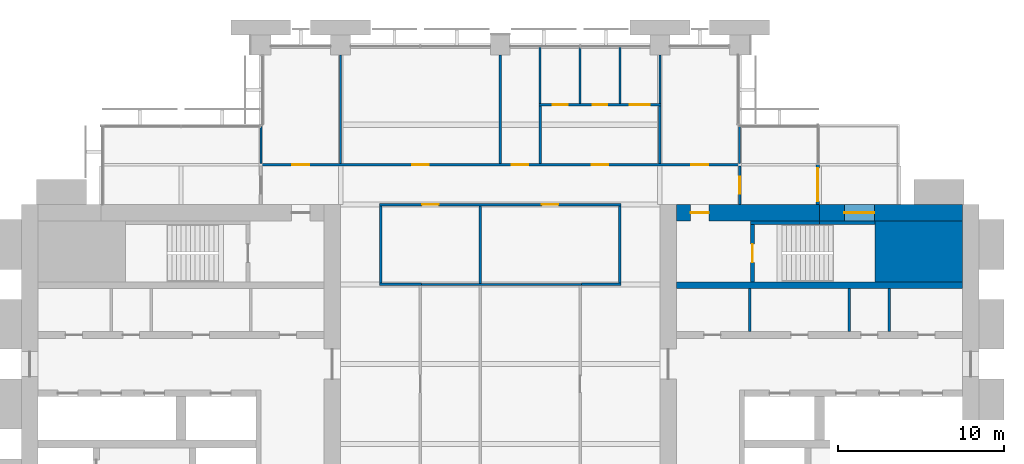
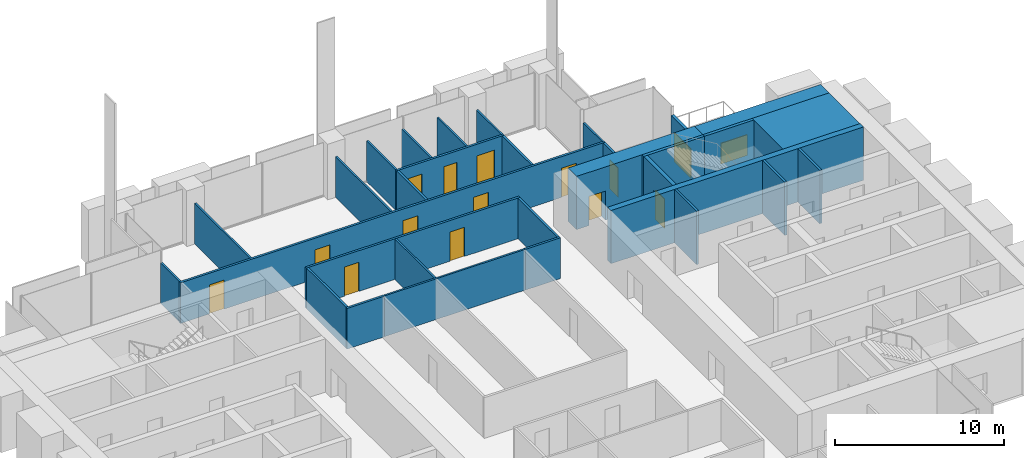
# One storey, part 12 of 14: 31 walls, 14 doors, 1 window, 15 openings.
"""IFC4 building model written with IfcOpenShell, lengths in metres."""

from ifc_helpers import new_model, si_unit, direction, frame, frame_2d, origin, place, context, subcontext, project, spatial, rectangle, extrude, material, layer, layer_set, type_object, element, fill, save


model = new_model("IFC4")

# Units and contexts
model_context = context("Model", 3, precision=1e-05, world=origin(), true_north=direction((0.0, 1.0)))
body_context = subcontext(model_context, "Body", "Model", "MODEL_VIEW")
ifc_project = project(units=[si_unit("LENGTHUNIT", "METRE"), si_unit("AREAUNIT", "SQUARE_METRE"), si_unit("VOLUMEUNIT", "CUBIC_METRE"), si_unit("PLANEANGLEUNIT", "RADIAN"), si_unit("MASSUNIT", "GRAM", prefix="KILO")], contexts=[model_context])

# Site, building, storey
site_placement = place(None, origin())
site = spatial("IfcSite", under=ifc_project, at=site_placement, CompositionType="ELEMENT")
building_placement = place(site_placement, origin())
building = spatial("IfcBuilding", under=site, at=building_placement, Name="Baori Bourse Tower", CompositionType="ELEMENT")
storey_placement = place(building_placement, frame((0.0, 0.0, 144.10009765625)))
storey = spatial("IfcBuildingStorey", under=building, at=storey_placement, Name="L31", CompositionType="ELEMENT", Elevation=144.10009765625)

# Walls
ifc_material_1 = material(Name="Concrete f'c 60 MPa", Category="concrete")
wall_type_1 = type_object("IfcWallType", Name="Core corner block f'c 60", PredefinedType="SHEAR", material=ifc_material_1)
wall_1_placement = place(storey_placement, frame((51.35009765625, 35.574951171875, 0.0), z_axis=(0.0, 0.0, 1.0), x_axis=(1.0, 0.0, 0.0)))
element("IfcWall", 1, at=wall_1_placement, inside=storey, type_object=wall_type_1, Name="Core wall E27", PredefinedType="SHEAR", context=body_context, shape_type="SweptSolid", body=[
    extrude(rectangle(XDim=5.25, YDim=3.64990234375, at=frame_2d((2.625, 0.0))), origin(), (0.0, 0.0, 1.0), 3.83984375),
])
ifc_material_2 = material(Name="Blockwork partition", Category="masonry")
ifc_layer_1 = layer(ifc_material_2, 0.14990234375)
ifc_layer_set_1 = layer_set([ifc_layer_1], Name="Core partition 150")
wall_type_2 = type_object("IfcWallType", Name="Core partition 150", PredefinedType="PARTITIONING", material=ifc_layer_set_1)
for number, where, z_axis, x_axis, name in (
    (2, (52.199951171875, 30.75, 0.0), (0.0, 0.0, 1.0), (0.0, 1.0, 0.0), "Partition wall E23"),
    (3, (49.800048828125, 30.75, 0.0), (0.0, 0.0, 1.0), (0.0, 1.0, 0.0), "Partition wall E24"),
    (4, (43.800048828125, 30.75, 0.0), (0.0, 0.0, 1.0), (0.0, 1.0, 0.0), "Partition wall E25"),
):
    element("IfcWall", number, at=place(storey_placement, frame(where, z_axis=z_axis, x_axis=x_axis)), inside=storey, type_object=wall_type_2, Name=name, PredefinedType="PARTITIONING", context=body_context, shape_type="SweptSolid", body=[
        extrude(rectangle(XDim=2.60009765625, YDim=0.14990234375, at=frame_2d((1.300048828125, 0.0))), origin(), (0.0, 0.0, 1.0), 3.83984375),
    ])

# Wall, opening, window
ifc_material_3 = material(Name="Concrete f'c 60 MPa", Category="concrete")
ifc_layer_2 = layer(ifc_material_3, 1.0)
ifc_layer_set_2 = layer_set([ifc_layer_2], Name="Core wall 1000 f'c 60")
wall_type_3 = type_object("IfcWallType", Name="Core wall 1000 f'c 60", PredefinedType="SHEAR", material=ifc_layer_set_2)
wall_2_placement = place(storey_placement, frame((48.0, 37.89990234375, 0.0), z_axis=(0.0, 0.0, 1.0), x_axis=(1.0, 0.0, 0.0)))
wall_2 = element("IfcWall", 5, at=wall_2_placement, inside=storey, type_object=wall_type_3, Name="Core wall E31", PredefinedType="SHEAR", context=body_context, shape_type="SweptSolid", body=[
    extrude(rectangle(XDim=8.60009765625, YDim=1.0, at=frame_2d((4.300048828125, 0.0))), origin(), (0.0, 0.0, 1.0), 3.83984375),
])
opening_1_placement = place(wall_2_placement, frame((1.5, 0.0, 0.89990234375)))
opening_1 = element("IfcOpeningElement", 6, at=opening_1_placement, cuts=wall_2, Name="Opening L31-KW204", PredefinedType="OPENING", context=body_context, shape_type="SweptSolid", body=[
    extrude(rectangle(XDim=1.800048828125, YDim=1.5, at=frame_2d((0.89990234375, 0.75))), frame((0.0, 0.510009765625, 0.0), z_axis=(0.0, -1.0, 0.0), x_axis=(1.0, 0.0, 0.0)), (0.0, 0.0, 1.0), 1.02001953125),
])
ifc_material_4 = material(Name="Pale anodised aluminium", Category="aluminium")
window_type = type_object("IfcWindowType", Name="Stair window 1800 x 1500", PartitioningType="SINGLE_PANEL", PredefinedType="WINDOW", material=ifc_material_4)
window_placement = place(opening_1_placement, origin())
window = element("IfcWindow", 7, at=window_placement, inside=storey, type_object=window_type, Name="Stair window E L31 4", OverallHeight=1.5, OverallWidth=1.800048828125, PartitioningType="SINGLE_PANEL", PredefinedType="WINDOW", context=body_context, shape_type="SweptSolid", body=[
    extrude(rectangle(XDim=1.800048828125, YDim=1.5, at=frame_2d((0.89990234375, 0.75))), frame((0.0, 0.030029296875, 0.0), z_axis=(0.0, -1.0, 0.0), x_axis=(1.0, 0.0, 0.0)), (0.0, 0.0, 1.0), 0.06005859375),
])
fill(opening_1, window)

# Wall, opening, door
wall_3_placement = place(storey_placement, frame((39.39990234375, 37.89990234375, 0.0), z_axis=(0.0, 0.0, 1.0), x_axis=(1.0, 0.0, 0.0)))
wall_3 = element("IfcWall", 8, at=wall_3_placement, inside=storey, type_object=wall_type_3, Name="Core wall E32", PredefinedType="SHEAR", context=body_context, shape_type="SweptSolid", body=[
    extrude(rectangle(XDim=8.60009765625, YDim=1.0, at=frame_2d((4.300048828125, 0.0))), origin(), (0.0, 0.0, 1.0), 3.83984375),
])
opening_2_placement = place(wall_3_placement, frame((0.85009765625, 0.0, 0.0)))
opening_2 = element("IfcOpeningElement", 9, at=opening_2_placement, cuts=wall_3, Name="Opening L31-D204", PredefinedType="OPENING", context=body_context, shape_type="SweptSolid", body=[
    extrude(rectangle(XDim=1.10009765625, YDim=2.10009765625, at=frame_2d((0.550048828125, 1.050048828125))), frame((0.0, 0.510009765625, 0.0), z_axis=(0.0, -1.0, 0.0), x_axis=(1.0, 0.0, 0.0)), (0.0, 0.0, 1.0), 1.02001953125),
])
ifc_material_5 = material(Name="Painted steel door", Category="steel")
door_type_1 = type_object("IfcDoorType", Name="Stair door 1100", OperationType="SINGLE_SWING_LEFT", PredefinedType="DOOR", material=ifc_material_5)
door_1_placement = place(opening_2_placement, origin())
door_1 = element("IfcDoor", 10, at=door_1_placement, inside=storey, type_object=door_type_1, Name="Stair vestibule door B E L31", OperationType="SINGLE_SWING_LEFT", OverallHeight=2.10009765625, OverallWidth=1.10009765625, PredefinedType="DOOR", context=body_context, shape_type="SweptSolid", body=[
    extrude(rectangle(XDim=1.10009765625, YDim=2.10009765625, at=frame_2d((0.550048828125, 1.050048828125))), frame((0.0, 0.02490234375, 0.0), z_axis=(0.0, -1.0, 0.0), x_axis=(1.0, 0.0, 0.0)), (0.0, 0.0, 1.0), 0.050048828125),
])
fill(opening_2, door_1)

# Walls
ifc_material_6 = material(Name="Gypsum board partition")
ifc_layer_3 = layer(ifc_material_6, 0.14990234375)
ifc_layer_set_3 = layer_set([ifc_layer_3], Name="Corridor partition 150")
wall_type_4 = type_object("IfcWallType", Name="Corridor partition 150", PredefinedType="PARTITIONING", material=ifc_layer_set_3)
wall_4_placement = place(storey_placement, frame((21.52490234375, 33.60009765625, 0.0), z_axis=(0.0, 0.0, 1.0), x_axis=(1.0, 0.0, 0.0)))
element("IfcWall", 11, at=wall_4_placement, inside=storey, type_object=wall_type_4, Name="Partition", PredefinedType="PARTITIONING", context=body_context, shape_type="SweptSolid", body=[
    extrude(rectangle(XDim=2.550048828125, YDim=0.14990234375, at=frame_2d((1.27490234375, 0.0))), origin(), (0.0, 0.0, 1.0), 2.935546875),
])
wall_5_placement = place(storey_placement, frame((33.675048828125, 33.60009765625, 0.0), z_axis=(0.0, 0.0, 1.0), x_axis=(1.0, 0.0, 0.0)))
element("IfcWall", 12, at=wall_5_placement, inside=storey, type_object=wall_type_4, Name="Partition", PredefinedType="PARTITIONING", context=body_context, shape_type="SweptSolid", body=[
    extrude(rectangle(XDim=2.39990234375, YDim=0.14990234375, at=frame_2d((1.199951171875, 0.0))), origin(), (0.0, 0.0, 1.0), 2.935546875),
])

# Wall, openings, doors
wall_6_placement = place(storey_placement, frame((21.52490234375, 38.39990234375, 0.0), z_axis=(0.0, 0.0, 1.0), x_axis=(1.0, 0.0, 0.0)))
wall_6 = element("IfcWall", 13, at=wall_6_placement, inside=storey, type_object=wall_type_4, Name="Partition", PredefinedType="PARTITIONING", context=body_context, shape_type="SweptSolid", body=[
    extrude(rectangle(XDim=14.550048828125, YDim=0.14990234375, at=frame_2d((7.27490234375, 0.0))), origin(), (0.0, 0.0, 1.0), 2.935546875),
])
opening_3_placement = place(wall_6_placement, frame((2.574951171875, 0.0, 0.0)))
opening_3 = element("IfcOpeningElement", 14, at=opening_3_placement, cuts=wall_6, Name="Opening L31-D08", PredefinedType="OPENING", context=body_context, shape_type="SweptSolid", body=[
    extrude(rectangle(XDim=1.0, YDim=2.10009765625, at=frame_2d((0.5, 1.050048828125))), frame((0.0, 0.0849609375, 0.0), z_axis=(0.0, -1.0, 0.0), x_axis=(1.0, 0.0, 0.0)), (0.0, 0.0, 1.0), 0.169921875),
])
opening_4_placement = place(wall_6_placement, frame((9.77490234375, 0.0, 0.0)))
opening_4 = element("IfcOpeningElement", 15, at=opening_4_placement, cuts=wall_6, Name="Opening L31-D09", PredefinedType="OPENING", context=body_context, shape_type="SweptSolid", body=[
    extrude(rectangle(XDim=1.0, YDim=2.10009765625, at=frame_2d((0.5, 1.050048828125))), frame((0.0, 0.0849609375, 0.0), z_axis=(0.0, -1.0, 0.0), x_axis=(1.0, 0.0, 0.0)), (0.0, 0.0, 1.0), 0.169921875),
])
ifc_material_7 = material(Name="Timber door leaf", Category="wood")
door_type_2 = type_object("IfcDoorType", Name="Door 1000 x 2100", OperationType="SINGLE_SWING_LEFT", PredefinedType="DOOR", material=ifc_material_7)
door_2_placement = place(opening_3_placement, origin())
door_2 = element("IfcDoor", 16, at=door_2_placement, inside=storey, type_object=door_type_2, Name="Door", OperationType="SINGLE_SWING_LEFT", OverallHeight=2.10009765625, OverallWidth=1.0, PredefinedType="DOOR", context=body_context, shape_type="SweptSolid", body=[
    extrude(rectangle(XDim=1.0, YDim=2.10009765625, at=frame_2d((0.5, 1.050048828125))), frame((0.0, 0.02490234375, 0.0), z_axis=(0.0, -1.0, 0.0), x_axis=(1.0, 0.0, 0.0)), (0.0, 0.0, 1.0), 0.050048828125),
])
fill(opening_3, door_2)
door_3_placement = place(opening_4_placement, origin())
door_3 = element("IfcDoor", 17, at=door_3_placement, inside=storey, type_object=door_type_2, Name="Door", OperationType="SINGLE_SWING_RIGHT", OverallHeight=2.10009765625, OverallWidth=1.0, PredefinedType="DOOR", context=body_context, shape_type="SweptSolid", body=[
    extrude(rectangle(XDim=1.0, YDim=2.10009765625, at=frame_2d((0.5, 1.050048828125))), frame((0.0, 0.02490234375, 0.0), z_axis=(0.0, -1.0, 0.0), x_axis=(1.0, 0.0, 0.0)), (0.0, 0.0, 1.0), 0.050048828125),
])
fill(opening_4, door_3)

wall_7_placement = place(storey_placement, frame((14.324951171875, 40.800048828125, 0.0), z_axis=(0.0, 0.0, 1.0), x_axis=(1.0, 0.0, 0.0)))
wall_7 = element("IfcWall", 18, at=wall_7_placement, inside=storey, type_object=wall_type_4, Name="Partition", PredefinedType="PARTITIONING", context=body_context, shape_type="SweptSolid", body=[
    extrude(rectangle(XDim=28.949951171875, YDim=0.14990234375, at=frame_2d((14.47509765625, 0.0))), origin(), (0.0, 0.0, 1.0), 2.935546875),
])
opening_5_placement = place(wall_7_placement, frame((1.97509765625, 0.0, 0.0)))
opening_5 = element("IfcOpeningElement", 19, at=opening_5_placement, cuts=wall_7, Name="Opening L31-D10", PredefinedType="OPENING", context=body_context, shape_type="SweptSolid", body=[
    extrude(rectangle(XDim=1.0, YDim=2.10009765625, at=frame_2d((0.5, 1.050048828125))), frame((0.0, 0.0849609375, 0.0), z_axis=(0.0, -1.0, 0.0), x_axis=(1.0, 0.0, 0.0)), (0.0, 0.0, 1.0), 0.169921875),
])
opening_6_placement = place(wall_7_placement, frame((9.175048828125, 0.0, 0.0)))
opening_6 = element("IfcOpeningElement", 20, at=opening_6_placement, cuts=wall_7, Name="Opening L31-D11", PredefinedType="OPENING", context=body_context, shape_type="SweptSolid", body=[
    extrude(rectangle(XDim=1.0, YDim=2.10009765625, at=frame_2d((0.5, 1.050048828125))), frame((0.0, 0.0849609375, 0.0), z_axis=(0.0, -1.0, 0.0), x_axis=(1.0, 0.0, 0.0)), (0.0, 0.0, 1.0), 0.169921875),
])
opening_7_placement = place(wall_7_placement, frame((15.175048828125, 0.0, 0.0)))
opening_7 = element("IfcOpeningElement", 21, at=opening_7_placement, cuts=wall_7, Name="Opening L31-D12", PredefinedType="OPENING", context=body_context, shape_type="SweptSolid", body=[
    extrude(rectangle(XDim=1.0, YDim=2.10009765625, at=frame_2d((0.5, 1.050048828125))), frame((0.0, 0.0849609375, 0.0), z_axis=(0.0, -1.0, 0.0), x_axis=(1.0, 0.0, 0.0)), (0.0, 0.0, 1.0), 0.169921875),
])
opening_8_placement = place(wall_7_placement, frame((19.97509765625, 0.0, 0.0)))
opening_8 = element("IfcOpeningElement", 22, at=opening_8_placement, cuts=wall_7, Name="Opening L31-D13", PredefinedType="OPENING", context=body_context, shape_type="SweptSolid", body=[
    extrude(rectangle(XDim=1.0, YDim=2.10009765625, at=frame_2d((0.5, 1.050048828125))), frame((0.0, 0.0849609375, 0.0), z_axis=(0.0, -1.0, 0.0), x_axis=(1.0, 0.0, 0.0)), (0.0, 0.0, 1.0), 0.169921875),
])
opening_9_placement = place(wall_7_placement, frame((25.97509765625, 0.0, 0.0)))
opening_9 = element("IfcOpeningElement", 23, at=opening_9_placement, cuts=wall_7, Name="Opening L31-D14", PredefinedType="OPENING", context=body_context, shape_type="SweptSolid", body=[
    extrude(rectangle(XDim=1.0, YDim=2.10009765625, at=frame_2d((0.5, 1.050048828125))), frame((0.0, 0.0849609375, 0.0), z_axis=(0.0, -1.0, 0.0), x_axis=(1.0, 0.0, 0.0)), (0.0, 0.0, 1.0), 0.169921875),
])
door_4_placement = place(opening_5_placement, origin())
door_4 = element("IfcDoor", 24, at=door_4_placement, inside=storey, type_object=door_type_2, Name="Door", OperationType="SINGLE_SWING_RIGHT", OverallHeight=2.10009765625, OverallWidth=1.0, PredefinedType="DOOR", context=body_context, shape_type="SweptSolid", body=[
    extrude(rectangle(XDim=1.0, YDim=2.10009765625, at=frame_2d((0.5, 1.050048828125))), frame((0.0, 0.02490234375, 0.0), z_axis=(0.0, -1.0, 0.0), x_axis=(1.0, 0.0, 0.0)), (0.0, 0.0, 1.0), 0.050048828125),
])
fill(opening_5, door_4)
door_5_placement = place(opening_6_placement, origin())
door_5 = element("IfcDoor", 25, at=door_5_placement, inside=storey, type_object=door_type_2, Name="Door", OperationType="SINGLE_SWING_RIGHT", OverallHeight=2.10009765625, OverallWidth=1.0, PredefinedType="DOOR", context=body_context, shape_type="SweptSolid", body=[
    extrude(rectangle(XDim=1.0, YDim=2.10009765625, at=frame_2d((0.5, 1.050048828125))), frame((0.0, 0.02490234375, 0.0), z_axis=(0.0, -1.0, 0.0), x_axis=(1.0, 0.0, 0.0)), (0.0, 0.0, 1.0), 0.050048828125),
])
fill(opening_6, door_5)
door_6_placement = place(opening_7_placement, origin())
door_6 = element("IfcDoor", 26, at=door_6_placement, inside=storey, type_object=door_type_2, Name="Door", OperationType="SINGLE_SWING_LEFT", OverallHeight=2.10009765625, OverallWidth=1.0, PredefinedType="DOOR", context=body_context, shape_type="SweptSolid", body=[
    extrude(rectangle(XDim=1.0, YDim=2.10009765625, at=frame_2d((0.5, 1.050048828125))), frame((0.0, 0.02490234375, 0.0), z_axis=(0.0, -1.0, 0.0), x_axis=(1.0, 0.0, 0.0)), (0.0, 0.0, 1.0), 0.050048828125),
])
fill(opening_7, door_6)
door_7_placement = place(opening_8_placement, origin())
door_7 = element("IfcDoor", 27, at=door_7_placement, inside=storey, type_object=door_type_2, Name="Door", OperationType="SINGLE_SWING_RIGHT", OverallHeight=2.10009765625, OverallWidth=1.0, PredefinedType="DOOR", context=body_context, shape_type="SweptSolid", body=[
    extrude(rectangle(XDim=1.0, YDim=2.10009765625, at=frame_2d((0.5, 1.050048828125))), frame((0.0, 0.02490234375, 0.0), z_axis=(0.0, -1.0, 0.0), x_axis=(1.0, 0.0, 0.0)), (0.0, 0.0, 1.0), 0.050048828125),
])
fill(opening_8, door_7)
door_8_placement = place(opening_9_placement, origin())
door_8 = element("IfcDoor", 28, at=door_8_placement, inside=storey, type_object=door_type_2, Name="Door", OperationType="SINGLE_SWING_LEFT", OverallHeight=2.10009765625, OverallWidth=1.0, PredefinedType="DOOR", context=body_context, shape_type="SweptSolid", body=[
    extrude(rectangle(XDim=1.0, YDim=2.10009765625, at=frame_2d((0.5, 1.050048828125))), frame((0.0, 0.02490234375, 0.0), z_axis=(0.0, -1.0, 0.0), x_axis=(1.0, 0.0, 0.0)), (0.0, 0.0, 1.0), 0.050048828125),
])
fill(opening_9, door_8)

wall_8_placement = place(storey_placement, frame((31.125, 44.39990234375, 0.0), z_axis=(0.0, 0.0, 1.0), x_axis=(1.0, 0.0, 0.0)))
wall_8 = element("IfcWall", 29, at=wall_8_placement, inside=storey, type_object=wall_type_4, Name="Partition", PredefinedType="PARTITIONING", context=body_context, shape_type="SweptSolid", body=[
    extrude(rectangle(XDim=7.35009765625, YDim=0.14990234375, at=frame_2d((3.675048828125, 0.0))), origin(), (0.0, 0.0, 1.0), 2.935546875),
])
opening_10_placement = place(wall_8_placement, frame((0.824951171875, 0.0, 0.0)))
opening_10 = element("IfcOpeningElement", 30, at=opening_10_placement, cuts=wall_8, Name="Opening L31-D15", PredefinedType="OPENING", context=body_context, shape_type="SweptSolid", body=[
    extrude(rectangle(XDim=0.89990234375, YDim=2.10009765625, at=frame_2d((0.449951171875, 1.050048828125))), frame((0.0, 0.0849609375, 0.0), z_axis=(0.0, -1.0, 0.0), x_axis=(1.0, 0.0, 0.0)), (0.0, 0.0, 1.0), 0.169921875),
])
opening_11_placement = place(wall_8_placement, frame((3.22509765625, 0.0, 0.0)))
opening_11 = element("IfcOpeningElement", 31, at=opening_11_placement, cuts=wall_8, Name="Opening L31-D16", PredefinedType="OPENING", context=body_context, shape_type="SweptSolid", body=[
    extrude(rectangle(XDim=0.89990234375, YDim=2.10009765625, at=frame_2d((0.449951171875, 1.050048828125))), frame((0.0, 0.0849609375, 0.0), z_axis=(0.0, -1.0, 0.0), x_axis=(1.0, 0.0, 0.0)), (0.0, 0.0, 1.0), 0.169921875),
])
opening_12_placement = place(wall_8_placement, frame((5.47509765625, 0.0, 0.0)))
opening_12 = element("IfcOpeningElement", 32, at=opening_12_placement, cuts=wall_8, Name="Opening L31-D17", PredefinedType="OPENING", context=body_context, shape_type="SweptSolid", body=[
    extrude(rectangle(XDim=1.199951171875, YDim=2.10009765625, at=frame_2d((0.60009765625, 1.050048828125))), frame((0.0, 0.0849609375, 0.0), z_axis=(0.0, -1.0, 0.0), x_axis=(1.0, 0.0, 0.0)), (0.0, 0.0, 1.0), 0.169921875),
])
ifc_material_8 = material(Name="Timber door leaf", Category="wood")
door_type_3 = type_object("IfcDoorType", Name="Door 1200 x 2100", OperationType="SINGLE_SWING_LEFT", PredefinedType="DOOR", material=ifc_material_8)
door_9_placement = place(opening_12_placement, origin())
door_9 = element("IfcDoor", 33, at=door_9_placement, inside=storey, type_object=door_type_3, Name="Door", OperationType="SINGLE_SWING_LEFT", OverallHeight=2.10009765625, OverallWidth=1.199951171875, PredefinedType="DOOR", context=body_context, shape_type="SweptSolid", body=[
    extrude(rectangle(XDim=1.199951171875, YDim=2.10009765625, at=frame_2d((0.60009765625, 1.050048828125))), frame((0.0, 0.02490234375, 0.0), z_axis=(0.0, -1.0, 0.0), x_axis=(1.0, 0.0, 0.0)), (0.0, 0.0, 1.0), 0.050048828125),
])
fill(opening_12, door_9)
ifc_material_9 = material(Name="Timber door leaf", Category="wood")
door_type_4 = type_object("IfcDoorType", Name="Door 900 x 2100", OperationType="SINGLE_SWING_LEFT", PredefinedType="DOOR", material=ifc_material_9)
door_10_placement = place(opening_10_placement, origin())
door_10 = element("IfcDoor", 34, at=door_10_placement, inside=storey, type_object=door_type_4, Name="Door", OperationType="SINGLE_SWING_RIGHT", OverallHeight=2.10009765625, OverallWidth=0.89990234375, PredefinedType="DOOR", context=body_context, shape_type="SweptSolid", body=[
    extrude(rectangle(XDim=0.89990234375, YDim=2.10009765625, at=frame_2d((0.449951171875, 1.050048828125))), frame((0.0, 0.02490234375, 0.0), z_axis=(0.0, -1.0, 0.0), x_axis=(1.0, 0.0, 0.0)), (0.0, 0.0, 1.0), 0.050048828125),
])
fill(opening_10, door_10)
door_11_placement = place(opening_11_placement, origin())
door_11 = element("IfcDoor", 35, at=door_11_placement, inside=storey, type_object=door_type_4, Name="Door", OperationType="SINGLE_SWING_RIGHT", OverallHeight=2.10009765625, OverallWidth=0.89990234375, PredefinedType="DOOR", context=body_context, shape_type="SweptSolid", body=[
    extrude(rectangle(XDim=0.89990234375, YDim=2.10009765625, at=frame_2d((0.449951171875, 1.050048828125))), frame((0.0, 0.02490234375, 0.0), z_axis=(0.0, -1.0, 0.0), x_axis=(1.0, 0.0, 0.0)), (0.0, 0.0, 1.0), 0.050048828125),
])
fill(opening_11, door_11)

# Walls
wall_9_placement = place(storey_placement, frame((21.60009765625, 33.675048828125, 0.0), z_axis=(0.0, 0.0, 1.0), x_axis=(0.0, 1.0, 0.0)))
element("IfcWall", 36, at=wall_9_placement, inside=storey, type_object=wall_type_4, Name="Partition", PredefinedType="PARTITIONING", context=body_context, shape_type="SweptSolid", body=[
    extrude(rectangle(XDim=4.64990234375, YDim=0.14990234375, at=frame_2d((2.324951171875, 0.0))), origin(), (0.0, 0.0, 1.0), 2.935546875),
])
wall_10_placement = place(storey_placement, frame((31.199951171875, 40.875, 0.0), z_axis=(0.0, 0.0, 1.0), x_axis=(0.0, 1.0, 0.0)))
element("IfcWall", 37, at=wall_10_placement, inside=storey, type_object=wall_type_4, Name="Partition", PredefinedType="PARTITIONING", context=body_context, shape_type="SweptSolid", body=[
    extrude(rectangle(XDim=3.449951171875, YDim=0.14990234375, at=frame_2d((1.72509765625, 0.0))), origin(), (0.0, 0.0, 1.0), 2.935546875),
])
wall_11_placement = place(storey_placement, frame((36.0, 33.675048828125, 0.0), z_axis=(0.0, 0.0, 1.0), x_axis=(0.0, 1.0, 0.0)))
element("IfcWall", 38, at=wall_11_placement, inside=storey, type_object=wall_type_4, Name="Partition", PredefinedType="PARTITIONING", context=body_context, shape_type="SweptSolid", body=[
    extrude(rectangle(XDim=4.64990234375, YDim=0.14990234375, at=frame_2d((2.324951171875, 0.0))), origin(), (0.0, 0.0, 1.0), 2.935546875),
])
wall_12_placement = place(storey_placement, frame((38.39990234375, 40.875, 0.0), z_axis=(0.0, 0.0, 1.0), x_axis=(0.0, 1.0, 0.0)))
element("IfcWall", 39, at=wall_12_placement, inside=storey, type_object=wall_type_4, Name="Partition", PredefinedType="PARTITIONING", context=body_context, shape_type="SweptSolid", body=[
    extrude(rectangle(XDim=3.449951171875, YDim=0.14990234375, at=frame_2d((1.72509765625, 0.0))), origin(), (0.0, 0.0, 1.0), 2.935546875),
])

# Wall, opening, door
wall_13_placement = place(storey_placement, frame((43.199951171875, 38.39990234375, 0.0), z_axis=(0.0, 0.0, 1.0), x_axis=(0.0, 1.0, 0.0)))
wall_13 = element("IfcWall", 40, at=wall_13_placement, inside=storey, type_object=wall_type_4, Name="Partition", PredefinedType="PARTITIONING", context=body_context, shape_type="SweptSolid", body=[
    extrude(rectangle(XDim=2.3251953125, YDim=0.14990234375, at=frame_2d((1.16259765625, 0.0))), origin(), (0.0, 0.0, 1.0), 2.935546875),
])
opening_13_placement = place(wall_13_placement, frame((0.66259765625, 0.0, 0.0)))
opening_13 = element("IfcOpeningElement", 41, at=opening_13_placement, cuts=wall_13, Name="Opening L31-D23", PredefinedType="OPENING", context=body_context, shape_type="SweptSolid", body=[
    extrude(rectangle(XDim=1.0, YDim=2.10009765625, at=frame_2d((0.5, 1.050048828125))), frame((0.0, 0.0849609375, 0.0), z_axis=(0.0, -1.0, 0.0), x_axis=(1.0, 0.0, 0.0)), (0.0, 0.0, 1.0), 0.169921875),
])
door_12_placement = place(opening_13_placement, origin())
door_12 = element("IfcDoor", 42, at=door_12_placement, inside=storey, type_object=door_type_2, Name="Door", OperationType="SINGLE_SWING_LEFT", OverallHeight=2.10009765625, OverallWidth=1.0, PredefinedType="DOOR", context=body_context, shape_type="SweptSolid", body=[
    extrude(rectangle(XDim=1.0, YDim=2.10009765625, at=frame_2d((0.5, 1.050048828125))), frame((0.0, 0.02490234375, 0.0), z_axis=(0.0, -1.0, 0.0), x_axis=(1.0, 0.0, 0.0)), (0.0, 0.0, 1.0), 0.050048828125),
])
fill(opening_13, door_12)

ifc_material_10 = material(Name="Pale anodised aluminium", Category="aluminium")
ifc_layer_4 = layer(ifc_material_10, 0.199951171875)
ifc_layer_set_4 = layer_set([ifc_layer_4], Name="EW1 External wall bay")
wall_type_5 = type_object("IfcWallType", Name="EW1 External wall bay", PredefinedType="SOLIDWALL", material=ifc_layer_set_4)
wall_14_placement = place(storey_placement, frame((47.89990234375, 38.389892578125, 0.0), z_axis=(0.0, 0.0, 1.0), x_axis=(0.0, 1.0, 0.0)))
wall_14 = element("IfcWall", 43, at=wall_14_placement, inside=storey, type_object=wall_type_5, Name="External wall bay L31 1", PredefinedType="SOLIDWALL", context=body_context, shape_type="SweptSolid", body=[
    extrude(rectangle(XDim=2.41015625, YDim=0.199951171875, at=frame_2d((1.205078125, 0.0))), origin(), (0.0, 0.0, 1.0), 3.238037109375),
])
opening_14_placement = place(wall_14_placement, frame((0.199951171875, 0.0, 0.0)))
opening_14 = element("IfcOpeningElement", 44, at=opening_14_placement, cuts=wall_14, Name="Opening L31-D91", PredefinedType="OPENING", context=body_context, shape_type="SweptSolid", body=[
    extrude(rectangle(XDim=2.0, YDim=2.10009765625, at=frame_2d((1.0, 1.050048828125))), frame((0.0, 0.10986328125, 0.0), z_axis=(0.0, -1.0, 0.0), x_axis=(1.0, 0.0, 0.0)), (0.0, 0.0, 1.0), 0.219970703125),
])
ifc_material_11 = material(Name="Pale anodised aluminium", Category="aluminium")
door_type_5 = type_object("IfcDoorType", Name="TR1 Terrace door", OperationType="DOUBLE_DOOR_SINGLE_SWING", PredefinedType="DOOR", material=ifc_material_11)
door_13_placement = place(opening_14_placement, origin())
door_13 = element("IfcDoor", 45, at=door_13_placement, inside=storey, type_object=door_type_5, Name="Terrace door L31 1", OperationType="SINGLE_SWING_LEFT", OverallHeight=2.10009765625, OverallWidth=2.0, PredefinedType="DOOR", context=body_context, shape_type="SweptSolid", body=[
    extrude(rectangle(XDim=2.0, YDim=2.10009765625, at=frame_2d((1.0, 1.050048828125))), frame((0.0, 0.02490234375, 0.0), z_axis=(0.0, -1.0, 0.0), x_axis=(1.0, 0.0, 0.0)), (0.0, 0.0, 1.0), 0.050048828125),
])
fill(opening_14, door_13)

# Walls
ifc_material_12 = material(Name="Gypsum board partition")
ifc_layer_5 = layer(ifc_material_12, 0.125)
ifc_layer_set_5 = layer_set([ifc_layer_5], Name="Partition 125")
wall_type_6 = type_object("IfcWallType", Name="Partition 125", PredefinedType="PARTITIONING", material=ifc_layer_set_5)
wall_15_placement = place(storey_placement, frame((24.074951171875, 33.60009765625, 0.0), z_axis=(0.0, 0.0, 1.0), x_axis=(1.0, 0.0, 0.0)))
element("IfcWall", 46, at=wall_15_placement, inside=storey, type_object=wall_type_6, Name="Partition", PredefinedType="PARTITIONING", context=body_context, shape_type="SweptSolid", body=[
    extrude(rectangle(XDim=9.60009765625, YDim=0.125, at=frame_2d((4.800048828125, 0.0))), origin(), (0.0, 0.0, 1.0), 2.935546875),
])
wall_16_placement = place(storey_placement, frame((14.39990234375, 40.875, 0.0), z_axis=(0.0, 0.0, 1.0), x_axis=(0.0, 1.0, 0.0)))
element("IfcWall", 47, at=wall_16_placement, inside=storey, type_object=wall_type_6, Name="Partition", PredefinedType="PARTITIONING", context=body_context, shape_type="SweptSolid", body=[
    extrude(rectangle(XDim=2.22509765625, YDim=0.125, at=frame_2d((1.112548828125, 0.0))), origin(), (0.0, 0.0, 1.0), 2.935546875),
])
wall_17_placement = place(storey_placement, frame((19.199951171875, 40.875, 0.0), z_axis=(0.0, 0.0, 1.0), x_axis=(0.0, 1.0, 0.0)))
element("IfcWall", 48, at=wall_17_placement, inside=storey, type_object=wall_type_6, Name="Partition", PredefinedType="PARTITIONING", context=body_context, shape_type="SweptSolid", body=[
    extrude(rectangle(XDim=6.52490234375, YDim=0.125, at=frame_2d((3.262451171875, 0.0))), origin(), (0.0, 0.0, 1.0), 2.935546875),
])
wall_18_placement = place(storey_placement, frame((27.60009765625, 33.66259765625, 0.0), z_axis=(0.0, 0.0, 1.0), x_axis=(0.0, 1.0, 0.0)))
element("IfcWall", 49, at=wall_18_placement, inside=storey, type_object=wall_type_6, Name="Partition", PredefinedType="PARTITIONING", context=body_context, shape_type="SweptSolid", body=[
    extrude(rectangle(XDim=4.662353515625, YDim=0.125, at=frame_2d((2.3310546875, 0.0))), origin(), (0.0, 0.0, 1.0), 2.935546875),
])
wall_19_placement = place(storey_placement, frame((28.800048828125, 40.875, 0.0), z_axis=(0.0, 0.0, 1.0), x_axis=(0.0, 1.0, 0.0)))
element("IfcWall", 50, at=wall_19_placement, inside=storey, type_object=wall_type_6, Name="Partition", PredefinedType="PARTITIONING", context=body_context, shape_type="SweptSolid", body=[
    extrude(rectangle(XDim=6.52490234375, YDim=0.125, at=frame_2d((3.262451171875, 0.0))), origin(), (0.0, 0.0, 1.0), 2.935546875),
])
for number, where, z_axis, x_axis, name in (
    (51, (31.199951171875, 44.47509765625, 0.0), (0.0, 0.0, 1.0), (0.0, 1.0, 0.0), "Partition"),
    (52, (33.60009765625, 44.47509765625, 0.0), (0.0, 0.0, 1.0), (0.0, 1.0, 0.0), "Partition"),
    (53, (36.0, 44.47509765625, 0.0), (0.0, 0.0, 1.0), (0.0, 1.0, 0.0), "Partition"),
):
    element("IfcWall", number, at=place(storey_placement, frame(where, z_axis=z_axis, x_axis=x_axis)), inside=storey, type_object=wall_type_6, Name=name, PredefinedType="PARTITIONING", context=body_context, shape_type="SweptSolid", body=[
        extrude(rectangle(XDim=3.4248046875, YDim=0.125, at=frame_2d((1.71240234375, 0.0))), origin(), (0.0, 0.0, 1.0), 2.935546875),
    ])
wall_20_placement = place(storey_placement, frame((38.39990234375, 44.47509765625, 0.0), z_axis=(0.0, 0.0, 1.0), x_axis=(0.0, 1.0, 0.0)))
element("IfcWall", 54, at=wall_20_placement, inside=storey, type_object=wall_type_6, Name="Partition", PredefinedType="PARTITIONING", context=body_context, shape_type="SweptSolid", body=[
    extrude(rectangle(XDim=2.9248046875, YDim=0.125, at=frame_2d((1.46240234375, 0.0))), origin(), (0.0, 0.0, 1.0), 2.935546875),
])
wall_21_placement = place(storey_placement, frame((43.199951171875, 40.875, 0.0), z_axis=(0.0, 0.0, 1.0), x_axis=(0.0, 1.0, 0.0)))
element("IfcWall", 55, at=wall_21_placement, inside=storey, type_object=wall_type_6, Name="Partition", PredefinedType="PARTITIONING", context=body_context, shape_type="SweptSolid", body=[
    extrude(rectangle(XDim=2.22509765625, YDim=0.125, at=frame_2d((1.112548828125, 0.0))), origin(), (0.0, 0.0, 1.0), 2.935546875),
])
ifc_material_13 = material(Name="Concrete f'c 60 MPa", Category="concrete")
ifc_layer_6 = layer(ifc_material_13, 0.199951171875)
ifc_layer_set_6 = layer_set([ifc_layer_6], Name="Shaft wall 200 f'c 60")
wall_type_7 = type_object("IfcWallType", Name="Shaft wall 200 f'c 60", PredefinedType="SHEAR", material=ifc_layer_set_6)
wall_22_placement = place(storey_placement, frame((48.0, 37.300048828125, 0.0), z_axis=(0.0, 0.0, 1.0), x_axis=(1.0, 0.0, 0.0)))
element("IfcWall", 56, at=wall_22_placement, inside=storey, type_object=wall_type_7, Name="Core wall E29", PredefinedType="SHEAR", context=body_context, shape_type="SweptSolid", body=[
    extrude(rectangle(XDim=3.35009765625, YDim=0.199951171875, at=frame_2d((1.675048828125, 0.0))), origin(), (0.0, 0.0, 1.0), 3.83984375),
])
wall_23_placement = place(storey_placement, frame((43.85009765625, 37.300048828125, 0.0), z_axis=(0.0, 0.0, 1.0), x_axis=(1.0, 0.0, 0.0)))
element("IfcWall", 57, at=wall_23_placement, inside=storey, type_object=wall_type_7, Name="Core wall E30", PredefinedType="SHEAR", context=body_context, shape_type="SweptSolid", body=[
    extrude(rectangle(XDim=4.14990234375, YDim=0.199951171875, at=frame_2d((2.074951171875, 0.0))), origin(), (0.0, 0.0, 1.0), 3.83984375),
])

# Wall, opening, door
ifc_material_14 = material(Name="Concrete f'c 60 MPa", Category="concrete")
ifc_layer_7 = layer(ifc_material_14, 0.25)
ifc_layer_set_7 = layer_set([ifc_layer_7], Name="Shaft wall 250 f'c 60")
wall_type_8 = type_object("IfcWallType", Name="Shaft wall 250 f'c 60", PredefinedType="SHEAR", material=ifc_layer_set_7)
wall_24_placement = place(storey_placement, frame((43.97509765625, 33.75, 0.0), z_axis=(0.0, 0.0, 1.0), x_axis=(0.0, 1.0, 0.0)))
wall_24 = element("IfcWall", 58, at=wall_24_placement, inside=storey, type_object=wall_type_8, Name="Core wall E28", PredefinedType="SHEAR", context=body_context, shape_type="SweptSolid", body=[
    extrude(rectangle(XDim=3.449951171875, YDim=0.25, at=frame_2d((1.72509765625, 0.0))), origin(), (0.0, 0.0, 1.0), 3.83984375),
])
opening_15_placement = place(wall_24_placement, frame((1.175048828125, 0.0, 0.0)))
opening_15 = element("IfcOpeningElement", 59, at=opening_15_placement, cuts=wall_24, Name="Opening L31-D203", PredefinedType="OPENING", context=body_context, shape_type="SweptSolid", body=[
    extrude(rectangle(XDim=1.10009765625, YDim=2.10009765625, at=frame_2d((0.550048828125, 1.050048828125))), frame((0.0, 0.135009765625, 0.0), z_axis=(0.0, -1.0, 0.0), x_axis=(1.0, 0.0, 0.0)), (0.0, 0.0, 1.0), 0.27001953125),
])
door_14_placement = place(opening_15_placement, origin())
door_14 = element("IfcDoor", 60, at=door_14_placement, inside=storey, type_object=door_type_1, Name="Stair door B E L31", OperationType="SINGLE_SWING_LEFT", OverallHeight=2.10009765625, OverallWidth=1.10009765625, PredefinedType="DOOR", context=body_context, shape_type="SweptSolid", body=[
    extrude(rectangle(XDim=1.10009765625, YDim=2.10009765625, at=frame_2d((0.550048828125, 1.050048828125))), frame((0.0, 0.02490234375, 0.0), z_axis=(0.0, -1.0, 0.0), x_axis=(1.0, 0.0, 0.0)), (0.0, 0.0, 1.0), 0.050048828125),
])
fill(opening_15, door_14)

# Wall
ifc_material_15 = material(Name="Concrete f'c 60 MPa", Category="concrete")
ifc_layer_8 = layer(ifc_material_15, 0.39990234375)
ifc_layer_set_8 = layer_set([ifc_layer_8], Name="Shaft wall 400 f'c 60")
wall_type_9 = type_object("IfcWallType", Name="Shaft wall 400 f'c 60", PredefinedType="SHEAR", material=ifc_layer_set_8)
wall_25_placement = place(storey_placement, frame((39.39990234375, 33.550048828125, 0.0), z_axis=(0.0, 0.0, 1.0), x_axis=(1.0, 0.0, 0.0)))
element("IfcWall", 61, at=wall_25_placement, inside=storey, type_object=wall_type_9, Name="Core wall E26", PredefinedType="SHEAR", context=body_context, shape_type="SweptSolid", body=[
    extrude(rectangle(XDim=17.2001953125, YDim=0.39990234375, at=frame_2d((8.60009765625, 0.0))), origin(), (0.0, 0.0, 1.0), 3.83984375),
])

save(model, "model.ifc")
